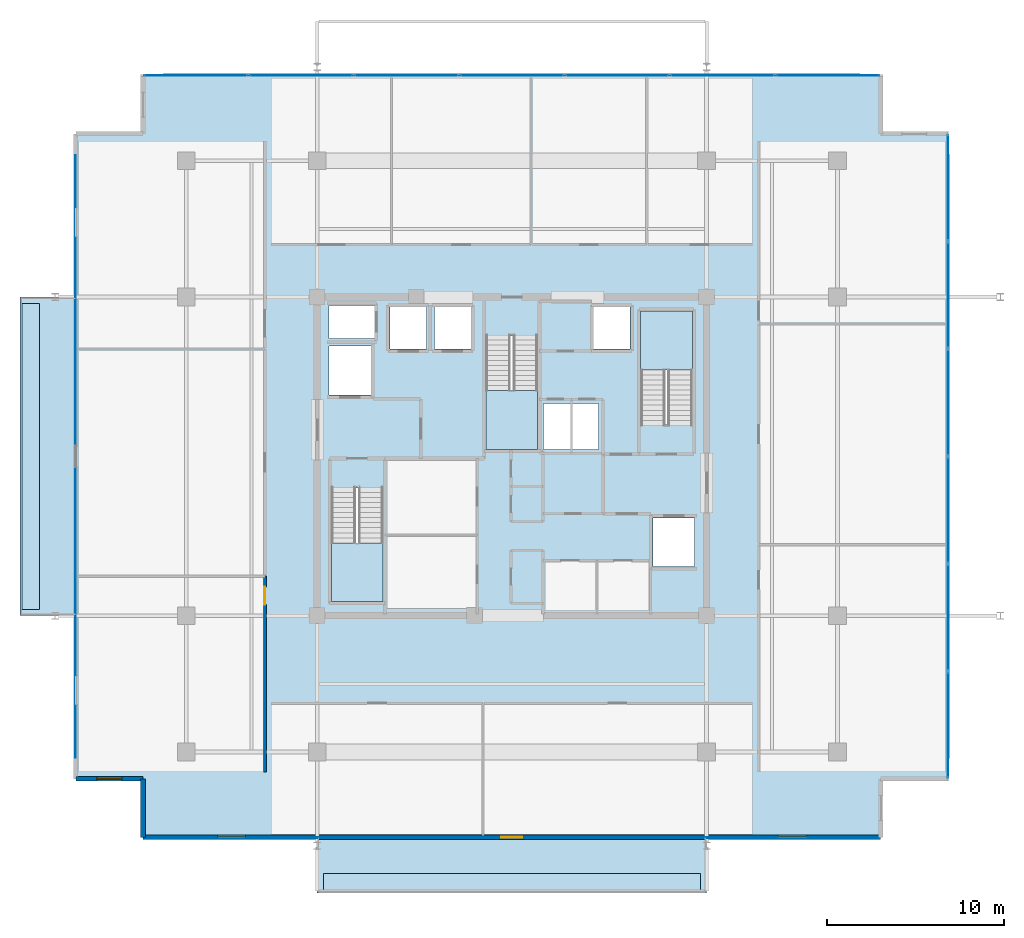
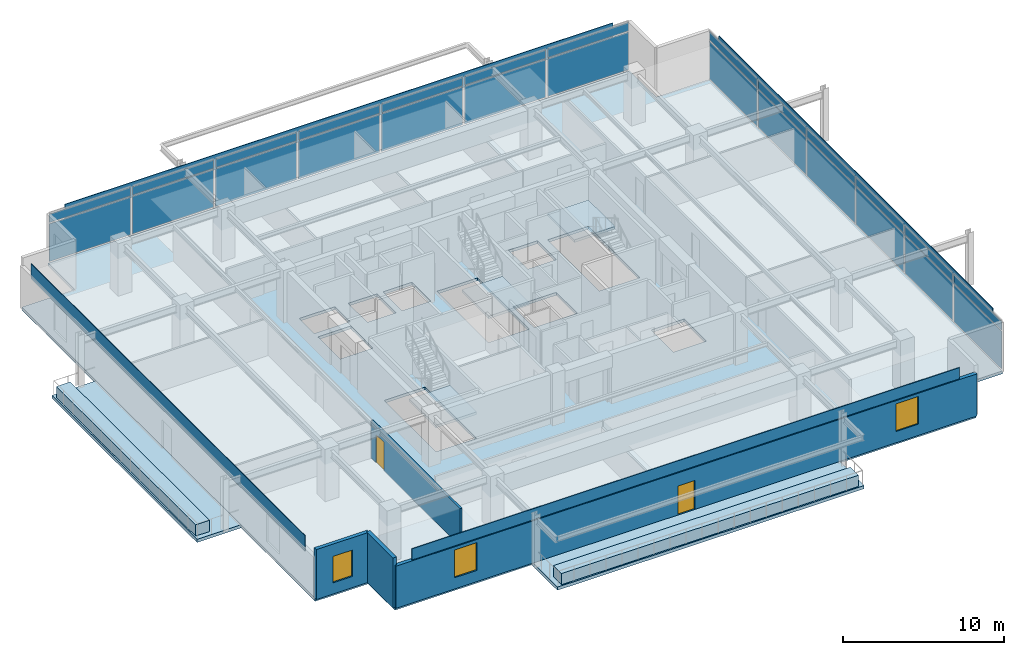
# One storey, part 13 of 21: 30 plates, 8 slabs, 4 walls, 3 windows, 2 doors, 5 openings, 5 elements without a shape of their own.
"""IFC4 building model written with IfcOpenShell, lengths in metres."""

from ifc_helpers import new_model, si_unit, direction, frame, frame_2d, origin, origin_2d, place, context, subcontext, project, spatial, polyline, rectangle, outline, extrude, material, layer, layer_set, type_object, element, fill, aggregate, save


model = new_model("IFC4")

# Units and contexts
model_context = context("Model", 3, precision=1e-05, world=origin(), true_north=direction((0.0, 1.0)))
body_context = subcontext(model_context, "Body", "Model", "MODEL_VIEW")
ifc_project = project(units=[si_unit("LENGTHUNIT", "METRE"), si_unit("AREAUNIT", "SQUARE_METRE"), si_unit("VOLUMEUNIT", "CUBIC_METRE"), si_unit("PLANEANGLEUNIT", "RADIAN"), si_unit("MASSUNIT", "GRAM", prefix="KILO")], contexts=[model_context])

# Site, building, storey
site_placement = place(None, origin())
site = spatial("IfcSite", under=ifc_project, at=site_placement, CompositionType="ELEMENT")
building_placement = place(site_placement, origin())
building = spatial("IfcBuilding", under=site, at=building_placement, Name="Kovane Verandah Tower", CompositionType="ELEMENT")
storey_placement = place(building_placement, frame((0.0, 0.0, 314.800048828125)))
storey = spatial("IfcBuildingStorey", under=building, at=storey_placement, Name="L73", CompositionType="ELEMENT", Elevation=314.800048828125)

# Curtain wall, plates
ifc_material_1 = material(Name="Champagne Anodised Aluminium Frame with Low-E Clear Laminated Glass", Category="aluminium")
curtain_wall_type = type_object("IfcCurtainWallType", Name="CW-SYS-05-HIGH", PredefinedType="NOTDEFINED", material=ifc_material_1)
curtain_wall_1_placement = place(storey_placement, origin())
curtain_wall_1 = element("IfcCurtainWall", 1, at=curtain_wall_1_placement, inside=storey, type_object=curtain_wall_type, Name="L73 E Unitised Curtain Wall", PredefinedType="NOTDEFINED")
ifc_material_2 = material(Name="Pale Champagne Anodised Aluminium Insulated Spandrel", Category="aluminium")
ifc_layer_1 = layer(ifc_material_2, 0.0400390625)
ifc_layer_set_1 = layer_set([ifc_layer_1], Name="Pale Champagne Anodised Aluminium Insulated Spandrel")
plate_type_1 = type_object("IfcPlateType", Name="PL-CW-SPD-40", PredefinedType="SHEET", material=ifc_layer_set_1)
plate_1_placement = place(storey_placement, frame((64.636474609375, 12.318115234375, 3.05517578125), z_axis=(0.0, 0.0, 1.0), x_axis=(0.0, 1.0, 0.0)))
plate_1 = element("IfcPlate", 2, at=plate_1_placement, type_object=plate_type_1, Name="L73 E Unitised Curtain Wall Spandrel Panel 1", PredefinedType="SHEET", context=body_context, shape_type="SweptSolid", body=[
    extrude(rectangle(XDim=5.9326171875, YDim=0.0400390625, at=origin_2d()), origin(), (0.0, 0.0, 1.0), 0.639892578125),
])
plate_2_placement = place(storey_placement, frame((64.636474609375, 18.390869140625, 3.05517578125), z_axis=(0.0, 0.0, 1.0), x_axis=(0.0, 1.0, 0.0)))
plate_2 = element("IfcPlate", 3, at=plate_2_placement, type_object=plate_type_1, Name="L73 E Unitised Curtain Wall Spandrel Panel 2", PredefinedType="SHEET", context=body_context, shape_type="SweptSolid", body=[
    extrude(rectangle(XDim=5.9326171875, YDim=0.0400390625, at=origin_2d()), origin(), (0.0, 0.0, 1.0), 0.639892578125),
])
plate_3_placement = place(storey_placement, frame((64.636474609375, 24.463623046875, 3.05517578125), z_axis=(0.0, 0.0, 1.0), x_axis=(0.0, 1.0, 0.0)))
plate_3 = element("IfcPlate", 4, at=plate_3_placement, type_object=plate_type_1, Name="L73 E Unitised Curtain Wall Spandrel Panel 3", PredefinedType="SHEET", context=body_context, shape_type="SweptSolid", body=[
    extrude(rectangle(XDim=5.9326171875, YDim=0.0400390625, at=origin_2d()), origin(), (0.0, 0.0, 1.0), 0.639892578125),
])
plate_4_placement = place(storey_placement, frame((64.636474609375, 30.536376953125, 3.05517578125), z_axis=(0.0, 0.0, 1.0), x_axis=(0.0, 1.0, 0.0)))
plate_4 = element("IfcPlate", 5, at=plate_4_placement, type_object=plate_type_1, Name="L73 E Unitised Curtain Wall Spandrel Panel 4", PredefinedType="SHEET", context=body_context, shape_type="SweptSolid", body=[
    extrude(rectangle(XDim=5.9326171875, YDim=0.0400390625, at=origin_2d()), origin(), (0.0, 0.0, 1.0), 0.639892578125),
])
plate_5_placement = place(storey_placement, frame((64.636474609375, 36.609130859375, 3.05517578125), z_axis=(0.0, 0.0, 1.0), x_axis=(0.0, 1.0, 0.0)))
plate_5 = element("IfcPlate", 6, at=plate_5_placement, type_object=plate_type_1, Name="L73 E Unitised Curtain Wall Spandrel Panel 5", PredefinedType="SHEET", context=body_context, shape_type="SweptSolid", body=[
    extrude(rectangle(XDim=5.9326171875, YDim=0.0400390625, at=origin_2d()), origin(), (0.0, 0.0, 1.0), 0.639892578125),
])
plate_6_placement = place(storey_placement, frame((64.636474609375, 42.681884765625, 3.05517578125), z_axis=(0.0, 0.0, 1.0), x_axis=(0.0, 1.0, 0.0)))
plate_6 = element("IfcPlate", 7, at=plate_6_placement, type_object=plate_type_1, Name="L73 E Unitised Curtain Wall Spandrel Panel 6", PredefinedType="SHEET", context=body_context, shape_type="SweptSolid", body=[
    extrude(rectangle(XDim=5.9326171875, YDim=0.0400390625, at=origin_2d()), origin(), (0.0, 0.0, 1.0), 0.639892578125),
])

curtain_wall_2_placement = place(storey_placement, origin())
curtain_wall_2 = element("IfcCurtainWall", 8, at=curtain_wall_2_placement, inside=storey, type_object=curtain_wall_type, Name="L73 N Unitised Curtain Wall", PredefinedType="NOTDEFINED")
plate_7_placement = place(storey_placement, frame((57.85986328125, 49.018310546875, 3.05517578125), z_axis=(0.0, 0.0, 1.0), x_axis=(-1.0, 0.0, 0.0)))
plate_7 = element("IfcPlate", 9, at=plate_7_placement, type_object=plate_type_1, Name="L73 N Unitised Curtain Wall Spandrel Panel 1", PredefinedType="SHEET", context=body_context, shape_type="SweptSolid", body=[
    extrude(rectangle(XDim=5.813232421875, YDim=0.0400390625, at=origin_2d()), origin(), (0.0, 0.0, 1.0), 0.639892578125),
])
plate_8_placement = place(storey_placement, frame((51.906494140625, 49.018310546875, 3.05517578125), z_axis=(0.0, 0.0, 1.0), x_axis=(-1.0, 0.0, 0.0)))
plate_8 = element("IfcPlate", 10, at=plate_8_placement, type_object=plate_type_1, Name="L73 N Unitised Curtain Wall Spandrel Panel 2", PredefinedType="SHEET", context=body_context, shape_type="SweptSolid", body=[
    extrude(rectangle(XDim=5.813232421875, YDim=0.0400390625, at=origin_2d()), origin(), (0.0, 0.0, 1.0), 0.639892578125),
])
plate_9_placement = place(storey_placement, frame((45.953369140625, 49.018310546875, 3.05517578125), z_axis=(0.0, 0.0, 1.0), x_axis=(-1.0, 0.0, 0.0)))
plate_9 = element("IfcPlate", 11, at=plate_9_placement, type_object=plate_type_1, Name="L73 N Unitised Curtain Wall Spandrel Panel 3", PredefinedType="SHEET", context=body_context, shape_type="SweptSolid", body=[
    extrude(rectangle(XDim=5.813232421875, YDim=0.0400390625, at=origin_2d()), origin(), (0.0, 0.0, 1.0), 0.639892578125),
])
plate_10_placement = place(storey_placement, frame((40.0, 49.018310546875, 3.05517578125), z_axis=(0.0, 0.0, 1.0), x_axis=(-1.0, 0.0, 0.0)))
plate_10 = element("IfcPlate", 12, at=plate_10_placement, type_object=plate_type_1, Name="L73 N Unitised Curtain Wall Spandrel Panel 4", PredefinedType="SHEET", context=body_context, shape_type="SweptSolid", body=[
    extrude(rectangle(XDim=5.813232421875, YDim=0.0400390625, at=origin_2d()), origin(), (0.0, 0.0, 1.0), 0.639892578125),
])
plate_11_placement = place(storey_placement, frame((34.046630859375, 49.018310546875, 3.05517578125), z_axis=(0.0, 0.0, 1.0), x_axis=(-1.0, 0.0, 0.0)))
plate_11 = element("IfcPlate", 13, at=plate_11_placement, type_object=plate_type_1, Name="L73 N Unitised Curtain Wall Spandrel Panel 5", PredefinedType="SHEET", context=body_context, shape_type="SweptSolid", body=[
    extrude(rectangle(XDim=5.813232421875, YDim=0.0400390625, at=origin_2d()), origin(), (0.0, 0.0, 1.0), 0.639892578125),
])
plate_12_placement = place(storey_placement, frame((28.093505859375, 49.018310546875, 3.05517578125), z_axis=(0.0, 0.0, 1.0), x_axis=(-1.0, 0.0, 0.0)))
plate_12 = element("IfcPlate", 14, at=plate_12_placement, type_object=plate_type_1, Name="L73 N Unitised Curtain Wall Spandrel Panel 6", PredefinedType="SHEET", context=body_context, shape_type="SweptSolid", body=[
    extrude(rectangle(XDim=5.813232421875, YDim=0.0400390625, at=origin_2d()), origin(), (0.0, 0.0, 1.0), 0.639892578125),
])
plate_13_placement = place(storey_placement, frame((22.14013671875, 49.018310546875, 3.05517578125), z_axis=(0.0, 0.0, 1.0), x_axis=(-1.0, 0.0, 0.0)))
plate_13 = element("IfcPlate", 15, at=plate_13_placement, type_object=plate_type_1, Name="L73 N Unitised Curtain Wall Spandrel Panel 7", PredefinedType="SHEET", context=body_context, shape_type="SweptSolid", body=[
    extrude(rectangle(XDim=5.813232421875, YDim=0.0400390625, at=origin_2d()), origin(), (0.0, 0.0, 1.0), 0.639892578125),
])

# Plate
ifc_material_3 = material(Name="Clear Low-E Laminated Double Glazing", Category="glass")
ifc_layer_2 = layer(ifc_material_3, 0.031982421875)
ifc_layer_set_2 = layer_set([ifc_layer_2], Name="Clear Low-E Laminated Double Glazing")
plate_type_2 = type_object("IfcPlateType", Name="PL-CW-VIS-32", PredefinedType="CURTAIN_PANEL", material=ifc_layer_set_2)
plate_14_placement = place(storey_placement, frame((64.636474609375, 12.318115234375, 0.099853515625), z_axis=(0.0, 0.0, 1.0), x_axis=(0.0, 1.0, 0.0)))
plate_14 = element("IfcPlate", 16, at=plate_14_placement, type_object=plate_type_2, Name="L73 E Unitised Curtain Wall Vision Panel 1", PredefinedType="CURTAIN_PANEL", context=body_context, shape_type="SweptSolid", body=[
    extrude(rectangle(XDim=5.9326171875, YDim=0.031982421875, at=origin_2d()), origin(), (0.0, 0.0, 1.0), 2.85498046875),
])

plate_15_placement = place(storey_placement, frame((64.636474609375, 18.390869140625, 0.099853515625), z_axis=(0.0, 0.0, 1.0), x_axis=(0.0, 1.0, 0.0)))
plate_15 = element("IfcPlate", 17, at=plate_15_placement, type_object=plate_type_2, Name="L73 E Unitised Curtain Wall Vision Panel 2", PredefinedType="CURTAIN_PANEL", context=body_context, shape_type="SweptSolid", body=[
    extrude(rectangle(XDim=5.9326171875, YDim=0.031982421875, at=origin_2d()), origin(), (0.0, 0.0, 1.0), 2.85498046875),
])

plate_16_placement = place(storey_placement, frame((64.636474609375, 24.463623046875, 0.099853515625), z_axis=(0.0, 0.0, 1.0), x_axis=(0.0, 1.0, 0.0)))
plate_16 = element("IfcPlate", 18, at=plate_16_placement, type_object=plate_type_2, Name="L73 E Unitised Curtain Wall Vision Panel 3", PredefinedType="CURTAIN_PANEL", context=body_context, shape_type="SweptSolid", body=[
    extrude(rectangle(XDim=5.9326171875, YDim=0.031982421875, at=origin_2d()), origin(), (0.0, 0.0, 1.0), 2.85498046875),
])

plate_17_placement = place(storey_placement, frame((64.636474609375, 30.536376953125, 0.099853515625), z_axis=(0.0, 0.0, 1.0), x_axis=(0.0, 1.0, 0.0)))
plate_17 = element("IfcPlate", 19, at=plate_17_placement, type_object=plate_type_2, Name="L73 E Unitised Curtain Wall Vision Panel 4", PredefinedType="CURTAIN_PANEL", context=body_context, shape_type="SweptSolid", body=[
    extrude(rectangle(XDim=5.9326171875, YDim=0.031982421875, at=origin_2d()), origin(), (0.0, 0.0, 1.0), 2.85498046875),
])

plate_18_placement = place(storey_placement, frame((64.636474609375, 36.609130859375, 0.099853515625), z_axis=(0.0, 0.0, 1.0), x_axis=(0.0, 1.0, 0.0)))
plate_18 = element("IfcPlate", 20, at=plate_18_placement, type_object=plate_type_2, Name="L73 E Unitised Curtain Wall Vision Panel 5", PredefinedType="CURTAIN_PANEL", context=body_context, shape_type="SweptSolid", body=[
    extrude(rectangle(XDim=5.9326171875, YDim=0.031982421875, at=origin_2d()), origin(), (0.0, 0.0, 1.0), 2.85498046875),
])

plate_19_placement = place(storey_placement, frame((64.636474609375, 42.681884765625, 0.099853515625), z_axis=(0.0, 0.0, 1.0), x_axis=(0.0, 1.0, 0.0)))
plate_19 = element("IfcPlate", 21, at=plate_19_placement, type_object=plate_type_2, Name="L73 E Unitised Curtain Wall Vision Panel 6", PredefinedType="CURTAIN_PANEL", context=body_context, shape_type="SweptSolid", body=[
    extrude(rectangle(XDim=5.9326171875, YDim=0.031982421875, at=origin_2d()), origin(), (0.0, 0.0, 1.0), 2.85498046875),
])

aggregate(curtain_wall_1, [plate_14, plate_1, plate_15, plate_2, plate_16, plate_3, plate_17, plate_4, plate_18, plate_5, plate_19, plate_6])

plate_20_placement = place(storey_placement, frame((57.85986328125, 49.018310546875, 0.099853515625), z_axis=(0.0, 0.0, 1.0), x_axis=(-1.0, 0.0, 0.0)))
plate_20 = element("IfcPlate", 22, at=plate_20_placement, type_object=plate_type_2, Name="L73 N Unitised Curtain Wall Vision Panel 1", PredefinedType="CURTAIN_PANEL", context=body_context, shape_type="SweptSolid", body=[
    extrude(rectangle(XDim=5.813232421875, YDim=0.031982421875, at=origin_2d()), origin(), (0.0, 0.0, 1.0), 2.85498046875),
])

plate_21_placement = place(storey_placement, frame((51.906494140625, 49.018310546875, 0.099853515625), z_axis=(0.0, 0.0, 1.0), x_axis=(-1.0, 0.0, 0.0)))
plate_21 = element("IfcPlate", 23, at=plate_21_placement, type_object=plate_type_2, Name="L73 N Unitised Curtain Wall Vision Panel 2", PredefinedType="CURTAIN_PANEL", context=body_context, shape_type="SweptSolid", body=[
    extrude(rectangle(XDim=5.813232421875, YDim=0.031982421875, at=origin_2d()), origin(), (0.0, 0.0, 1.0), 2.85498046875),
])

plate_22_placement = place(storey_placement, frame((45.953369140625, 49.018310546875, 0.099853515625), z_axis=(0.0, 0.0, 1.0), x_axis=(-1.0, 0.0, 0.0)))
plate_22 = element("IfcPlate", 24, at=plate_22_placement, type_object=plate_type_2, Name="L73 N Unitised Curtain Wall Vision Panel 3", PredefinedType="CURTAIN_PANEL", context=body_context, shape_type="SweptSolid", body=[
    extrude(rectangle(XDim=5.813232421875, YDim=0.031982421875, at=origin_2d()), origin(), (0.0, 0.0, 1.0), 2.85498046875),
])

plate_23_placement = place(storey_placement, frame((40.0, 49.018310546875, 0.099853515625), z_axis=(0.0, 0.0, 1.0), x_axis=(-1.0, 0.0, 0.0)))
plate_23 = element("IfcPlate", 25, at=plate_23_placement, type_object=plate_type_2, Name="L73 N Unitised Curtain Wall Vision Panel 4", PredefinedType="CURTAIN_PANEL", context=body_context, shape_type="SweptSolid", body=[
    extrude(rectangle(XDim=5.813232421875, YDim=0.031982421875, at=origin_2d()), origin(), (0.0, 0.0, 1.0), 2.85498046875),
])

plate_24_placement = place(storey_placement, frame((34.046630859375, 49.018310546875, 0.099853515625), z_axis=(0.0, 0.0, 1.0), x_axis=(-1.0, 0.0, 0.0)))
plate_24 = element("IfcPlate", 26, at=plate_24_placement, type_object=plate_type_2, Name="L73 N Unitised Curtain Wall Vision Panel 5", PredefinedType="CURTAIN_PANEL", context=body_context, shape_type="SweptSolid", body=[
    extrude(rectangle(XDim=5.813232421875, YDim=0.031982421875, at=origin_2d()), origin(), (0.0, 0.0, 1.0), 2.85498046875),
])

plate_25_placement = place(storey_placement, frame((28.093505859375, 49.018310546875, 0.099853515625), z_axis=(0.0, 0.0, 1.0), x_axis=(-1.0, 0.0, 0.0)))
plate_25 = element("IfcPlate", 27, at=plate_25_placement, type_object=plate_type_2, Name="L73 N Unitised Curtain Wall Vision Panel 6", PredefinedType="CURTAIN_PANEL", context=body_context, shape_type="SweptSolid", body=[
    extrude(rectangle(XDim=5.813232421875, YDim=0.031982421875, at=origin_2d()), origin(), (0.0, 0.0, 1.0), 2.85498046875),
])

plate_26_placement = place(storey_placement, frame((22.14013671875, 49.018310546875, 0.099853515625), z_axis=(0.0, 0.0, 1.0), x_axis=(-1.0, 0.0, 0.0)))
plate_26 = element("IfcPlate", 28, at=plate_26_placement, type_object=plate_type_2, Name="L73 N Unitised Curtain Wall Vision Panel 7", PredefinedType="CURTAIN_PANEL", context=body_context, shape_type="SweptSolid", body=[
    extrude(rectangle(XDim=5.813232421875, YDim=0.031982421875, at=origin_2d()), origin(), (0.0, 0.0, 1.0), 2.85498046875),
])

aggregate(curtain_wall_2, [plate_20, plate_7, plate_21, plate_8, plate_22, plate_9, plate_23, plate_10, plate_24, plate_11, plate_25, plate_12, plate_26, plate_13])

# Plates
ifc_material_4 = material(Name="Perforated Pale Champagne Anodised Aluminium Solar Screen", Category="aluminium")
ifc_layer_3 = layer(ifc_material_4, 0.050048828125)
ifc_layer_set_3 = layer_set([ifc_layer_3], Name="Perforated Pale Champagne Anodised Aluminium Solar Screen")
plate_type_3 = type_object("IfcPlateType", Name="PL-SCREEN-50", PredefinedType="USERDEFINED", material=ifc_layer_set_3)
plate_27_placement = place(storey_placement, frame((40.0, 5.966796875, 2.885009765625), z_axis=(0.0, 0.0, 1.0), x_axis=(1.0, 0.0, 0.0)))
element("IfcPlate", 29, at=plate_27_placement, inside=storey, type_object=plate_type_3, Name="L73 S Perforated Champagne-Gold Solar Screen", ObjectType="SCREEN", PredefinedType="USERDEFINED", context=body_context, shape_type="SweptSolid", body=[
    extrude(rectangle(XDim=39.27294921875, YDim=0.050048828125, at=origin_2d()), origin(), (0.0, 0.0, 1.0), 1.14990234375),
])
plate_28_placement = place(storey_placement, frame((64.6513671875, 27.5, 2.885009765625), z_axis=(0.0, 0.0, 1.0), x_axis=(0.0, 1.0, 0.0)))
element("IfcPlate", 30, at=plate_28_placement, inside=storey, type_object=plate_type_3, Name="L73 E Perforated Champagne-Gold Solar Screen", ObjectType="SCREEN", PredefinedType="USERDEFINED", context=body_context, shape_type="SweptSolid", body=[
    extrude(rectangle(XDim=34.035888671875, YDim=0.050048828125, at=origin_2d()), origin(), (0.0, 0.0, 1.0), 1.14990234375),
])
plate_29_placement = place(storey_placement, frame((40.0, 49.033203125, 2.885009765625), z_axis=(0.0, 0.0, 1.0), x_axis=(-1.0, 0.0, 0.0)))
element("IfcPlate", 31, at=plate_29_placement, inside=storey, type_object=plate_type_3, Name="L73 N Perforated Champagne-Gold Solar Screen", ObjectType="SCREEN", PredefinedType="USERDEFINED", context=body_context, shape_type="SweptSolid", body=[
    extrude(rectangle(XDim=39.27294921875, YDim=0.050048828125, at=origin_2d()), origin(), (0.0, 0.0, 1.0), 1.14990234375),
])
plate_30_placement = place(storey_placement, frame((15.3486328125, 27.5, 2.885009765625), z_axis=(0.0, 0.0, 1.0), x_axis=(0.0, -1.0, 0.0)))
element("IfcPlate", 32, at=plate_30_placement, inside=storey, type_object=plate_type_3, Name="L73 W Perforated Champagne-Gold Solar Screen", ObjectType="SCREEN", PredefinedType="USERDEFINED", context=body_context, shape_type="SweptSolid", body=[
    extrude(rectangle(XDim=34.035888671875, YDim=0.050048828125, at=origin_2d()), origin(), (0.0, 0.0, 1.0), 1.14990234375),
])

# Slabs
ifc_material_5 = material(Name="Concrete C45/55", Category="concrete")
ifc_layer_4 = layer(ifc_material_5, 0.239990234375)
ifc_layer_set_4 = layer_set([ifc_layer_4], Name="Concrete C45/55")
slab_type_1 = type_object("IfcSlabType", Name="SL-BALC-240", PredefinedType="FLOOR", material=ifc_layer_set_4)
slab_1_placement = place(storey_placement, frame((0.0, 0.0, -0.239990234375)))
element("IfcSlab", 33, at=slab_1_placement, inside=storey, type_object=slab_type_1, Name="L73 S Planted Verandah Balcony Slab", PredefinedType="FLOOR", context=body_context, shape_type="SweptSolid", body=[
    extrude(outline(polyline([(29.0, 2.831787109375), (51.0, 2.831787109375), (51.0, 5.981689453125), (29.0, 5.981689453125), (29.0, 2.831787109375)])), origin(), (0.0, 0.0, 1.0), 0.239990234375),
])
slab_2_placement = place(storey_placement, frame((0.0, 0.0, -0.239990234375)))
element("IfcSlab", 34, at=slab_2_placement, inside=storey, type_object=slab_type_1, Name="L73 W Planted Verandah Balcony Slab", PredefinedType="FLOOR", context=body_context, shape_type="SweptSolid", body=[
    extrude(outline(polyline([(12.213623046875, 18.5), (15.363525390625, 18.5), (15.363525390625, 36.5), (12.213623046875, 36.5), (12.213623046875, 18.5)])), origin(), (0.0, 0.0, 1.0), 0.239990234375),
])
ifc_layer_5 = layer(ifc_material_5, 0.215087890625)
ifc_layer_set_5 = layer_set([ifc_layer_5], Name="Concrete C45/55")
slab_type_2 = type_object("IfcSlabType", Name="SL-HIGH-215", PredefinedType="FLOOR", material=ifc_layer_set_5)
slab_3_placement = place(storey_placement, frame((0.0, 0.0, -0.215087890625)))
element("IfcSlab", 35, at=slab_3_placement, inside=storey, type_object=slab_type_2, Name="L73 Structural Floor Slab", PredefinedType="FLOOR", context=body_context, shape_type="SweptSolid", body=[
    extrude(outline(polyline([(19.16357421875, 5.981689453125), (60.83642578125, 5.981689453125), (60.83642578125, 9.28173828125), (64.636474609375, 9.28173828125), (64.636474609375, 45.71826171875), (60.83642578125, 45.71826171875), (60.83642578125, 49.018310546875), (19.16357421875, 49.018310546875), (19.16357421875, 45.71826171875), (15.363525390625, 45.71826171875), (15.363525390625, 9.28173828125), (19.16357421875, 9.28173828125), (19.16357421875, 5.981689453125)]), holes=[polyline([(29.800048828125, 19.300048828125), (32.719970703125, 19.300048828125), (32.719970703125, 25.705078125), (29.800048828125, 25.705078125), (29.800048828125, 19.300048828125)]), polyline([(47.280029296875, 29.294921875), (50.199951171875, 29.294921875), (50.199951171875, 35.699951171875), (47.280029296875, 35.699951171875), (47.280029296875, 29.294921875)]), polyline([(38.5400390625, 27.89990234375), (41.4599609375, 27.89990234375), (41.4599609375, 34.304931640625), (38.5400390625, 34.304931640625), (38.5400390625, 27.89990234375)]), polyline([(29.669921875, 30.969970703125), (32.030029296875, 30.969970703125), (32.030029296875, 33.72998046875), (29.669921875, 33.72998046875), (29.669921875, 30.969970703125)]), polyline([(47.969970703125, 21.27001953125), (50.330078125, 21.27001953125), (50.330078125, 24.030029296875), (47.969970703125, 24.030029296875), (47.969970703125, 21.27001953125)]), polyline([(29.669921875, 34.169921875), (32.22998046875, 34.169921875), (32.22998046875, 36.030029296875), (29.669921875, 36.030029296875), (29.669921875, 34.169921875)]), polyline([(33.1201171875, 33.570068359375), (35.179931640625, 33.570068359375), (35.179931640625, 35.929931640625), (33.1201171875, 35.929931640625), (33.1201171875, 33.570068359375)]), polyline([(35.6201171875, 33.570068359375), (37.679931640625, 33.570068359375), (37.679931640625, 35.929931640625), (35.6201171875, 35.929931640625), (35.6201171875, 33.570068359375)]), polyline([(44.6201171875, 33.570068359375), (46.679931640625, 33.570068359375), (46.679931640625, 35.929931640625), (44.6201171875, 35.929931640625), (44.6201171875, 33.570068359375)]), polyline([(41.800048828125, 27.89990234375), (44.89990234375, 27.89990234375), (44.89990234375, 30.5), (41.800048828125, 30.5), (41.800048828125, 27.89990234375)])]), origin(), (0.0, 0.0, 1.0), 0.215087890625),
])

# Stair, slab
stair_type = type_object("IfcStairType", Name="ST-CORE-1380", PredefinedType="HALF_TURN_STAIR", material=ifc_material_5)
stair_1_placement = place(storey_placement, origin())
stair_1 = element("IfcStair", 36, at=stair_1_placement, inside=storey, type_object=stair_type, Name="L73 Exit Stair ST-01", PredefinedType="HALF_TURN_STAIR")
ifc_layer_6 = layer(ifc_material_5, 0.199951171875)
ifc_layer_set_6 = layer_set([ifc_layer_6], Name="Concrete C45/55")
slab_type_3 = type_object("IfcSlabType", Name="SL-LAND-200", PredefinedType="LANDING", material=ifc_layer_set_6)
slab_4_placement = place(storey_placement, frame((0.0, 0.0, 1.800048828125)))
slab_4 = element("IfcSlab", 37, at=slab_4_placement, type_object=slab_type_3, Name="ST-01 landing 1", PredefinedType="LANDING", context=body_context, shape_type="SweptSolid", body=[
    extrude(outline(polyline([(29.800048828125, 22.614990234375), (29.800048828125, 19.300048828125), (32.719970703125, 19.300048828125), (32.719970703125, 22.614990234375), (29.800048828125, 22.614990234375)])), origin(), (0.0, 0.0, 1.0), 0.199951171875),
])
aggregate(stair_1, [slab_4])

stair_2_placement = place(storey_placement, origin())
stair_2 = element("IfcStair", 38, at=stair_2_placement, inside=storey, type_object=stair_type, Name="L73 Exit Stair ST-02", PredefinedType="HALF_TURN_STAIR")
slab_5_placement = place(storey_placement, frame((0.0, 0.0, 1.800048828125)))
slab_5 = element("IfcSlab", 39, at=slab_5_placement, type_object=slab_type_3, Name="ST-02 landing 1", PredefinedType="LANDING", context=body_context, shape_type="SweptSolid", body=[
    extrude(outline(polyline([(50.199951171875, 32.385009765625), (50.199951171875, 35.699951171875), (47.280029296875, 35.699951171875), (47.280029296875, 32.385009765625), (50.199951171875, 32.385009765625)])), origin(), (0.0, 0.0, 1.0), 0.199951171875),
])
aggregate(stair_2, [slab_5])

stair_3_placement = place(storey_placement, origin())
stair_3 = element("IfcStair", 40, at=stair_3_placement, inside=storey, type_object=stair_type, Name="L73 Exit Stair ST-03", PredefinedType="HALF_TURN_STAIR")
slab_6_placement = place(storey_placement, frame((0.0, 0.0, 1.800048828125)))
slab_6 = element("IfcSlab", 41, at=slab_6_placement, type_object=slab_type_3, Name="ST-03 landing 1", PredefinedType="LANDING", context=body_context, shape_type="SweptSolid", body=[
    extrude(outline(polyline([(38.5400390625, 31.215087890625), (38.5400390625, 27.89990234375), (41.4599609375, 27.89990234375), (41.4599609375, 31.215087890625), (38.5400390625, 31.215087890625)])), origin(), (0.0, 0.0, 1.0), 0.199951171875),
])
aggregate(stair_3, [slab_6])

# Slabs
ifc_material_6 = material(Name="Architectural Precast Concrete C45/55 Planter Trough", Category="concrete")
ifc_layer_7 = layer(ifc_material_6, 0.219970703125)
ifc_layer_set_7 = layer_set([ifc_layer_7], Name="Architectural Precast Concrete C45/55 Planter Trough")
slab_type_4 = type_object("IfcSlabType", Name="SL-PLANTER-220", PredefinedType="USERDEFINED", material=ifc_layer_set_7)
slab_7_placement = place(storey_placement, origin())
element("IfcSlab", 42, at=slab_7_placement, inside=storey, type_object=slab_type_4, Name="L73 S Structural Tree Planter", ObjectType="PLANTER", PredefinedType="USERDEFINED", context=body_context, shape_type="SweptSolid", body=[
    extrude(outline(polyline([(29.35009765625, 2.931884765625), (50.64990234375, 2.931884765625), (50.64990234375, 3.931884765625), (29.35009765625, 3.931884765625), (29.35009765625, 2.931884765625)])), origin(), (0.0, 0.0, 1.0), 0.849853515625),
])
slab_8_placement = place(storey_placement, origin())
element("IfcSlab", 43, at=slab_8_placement, inside=storey, type_object=slab_type_4, Name="L73 W Structural Tree Planter", ObjectType="PLANTER", PredefinedType="USERDEFINED", context=body_context, shape_type="SweptSolid", body=[
    extrude(outline(polyline([(12.313720703125, 18.85009765625), (13.313720703125, 18.85009765625), (13.313720703125, 36.14990234375), (12.313720703125, 36.14990234375), (12.313720703125, 18.85009765625)])), origin(), (0.0, 0.0, 1.0), 0.849853515625),
])

# Wall, opening, door
ifc_material_7 = material(Name="Fire-Rated Gypsum Stud Partition", Category="gypsum")
ifc_layer_8 = layer(ifc_material_7, 0.14990234375)
ifc_layer_set_8 = layer_set([ifc_layer_8], Name="Fire-Rated Gypsum Stud Partition")
wall_type_1 = type_object("IfcWallType", Name="WL-COR-150", PredefinedType="PARTITIONING", material=ifc_layer_set_8)
wall_1_placement = place(storey_placement, frame((26.050048828125, 9.681884765625, 0.0), z_axis=(0.0, 0.0, 1.0), x_axis=(0.0, 1.0, 0.0)))
wall_1 = element("IfcWall", 44, at=wall_1_placement, inside=storey, type_object=wall_type_1, Name="L73 Open Plan Office W1 Corridor Partition", PredefinedType="PARTITIONING", context=body_context, shape_type="SweptSolid", body=[
    extrude(rectangle(XDim=11.047119140625, YDim=0.14990234375, at=frame_2d((5.5234375, 0.0))), origin(), (0.0, 0.0, 1.0), 2.849853515625),
])
opening_1_placement = place(wall_1_placement, frame((9.44775390625, 0.0, 0.0)))
opening_1 = element("IfcOpeningElement", 45, at=opening_1_placement, cuts=wall_1, Name="Opening DR-L73-031", PredefinedType="OPENING", context=body_context, shape_type="SweptSolid", body=[
    extrude(rectangle(XDim=1.0, YDim=2.14990234375, at=frame_2d((0.5, 1.074951171875))), frame((0.0, 0.074951171875, 0.0), z_axis=(0.0, -1.0, 0.0), x_axis=(1.0, 0.0, 0.0)), (0.0, 0.0, 1.0), 0.14990234375),
])
ifc_material_8 = material(Name="FSC Spotted-Gum Timber Fire-Rated Office Door", Category="wood")
door_type_1 = type_object("IfcDoorType", Name="DR-OFF-1000", OperationType="SINGLE_SWING_LEFT", PredefinedType="DOOR", material=ifc_material_8)
door_1_placement = place(opening_1_placement, origin())
door_1 = element("IfcDoor", 46, at=door_1_placement, inside=storey, type_object=door_type_1, Name="L73 Open Plan Office W1 Entrance Door", OperationType="SINGLE_SWING_RIGHT", OverallHeight=2.14990234375, OverallWidth=1.0, PredefinedType="DOOR", context=body_context, shape_type="SweptSolid", body=[
    extrude(rectangle(XDim=1.0, YDim=2.14990234375, at=frame_2d((0.5, 1.074951171875))), frame((0.0, 0.02490234375, 0.0), z_axis=(0.0, -1.0, 0.0), x_axis=(1.0, 0.0, 0.0)), (0.0, 0.0, 1.0), 0.050048828125),
])
fill(opening_1, door_1)

# Wall, openings, door, windows
ifc_material_9 = material(Name="Concrete C45/55 Insulated Spandrel Wall", Category="concrete")
ifc_layer_9 = layer(ifc_material_9, 0.260009765625)
ifc_layer_set_9 = layer_set([ifc_layer_9], Name="Concrete C45/55 Insulated Spandrel Wall")
wall_type_2 = type_object("IfcWallType", Name="WL-SPANDREL-260", PredefinedType="PARAPET", material=ifc_layer_set_9)
wall_2_placement = place(storey_placement, frame((19.16357421875, 5.981689453125, 0.0), z_axis=(0.0, 0.0, 1.0), x_axis=(1.0, 0.0, 0.0)))
wall_2 = element("IfcWall", 47, at=wall_2_placement, inside=storey, type_object=wall_type_2, Name="L73 S Verandah Access Facade Wall", PredefinedType="PARAPET", context=body_context, shape_type="SweptSolid", body=[
    extrude(rectangle(XDim=41.6728515625, YDim=0.260009765625, at=frame_2d((20.83642578125, 0.0))), origin(), (0.0, 0.0, 1.0), 3.195556640625),
])
opening_2_placement = place(wall_2_placement, frame((4.199951171875, 0.0, 0.85009765625)))
opening_2 = element("IfcOpeningElement", 48, at=opening_2_placement, cuts=wall_2, Name="Opening W-02", PredefinedType="OPENING", context=body_context, shape_type="SweptSolid", body=[
    extrude(rectangle(XDim=1.60009765625, YDim=2.10009765625, at=frame_2d((0.800048828125, 1.050048828125))), frame((0.0, 0.1298828125, 0.0), z_axis=(0.0, -1.0, 0.0), x_axis=(1.0, 0.0, 0.0)), (0.0, 0.0, 1.0), 0.260009765625),
])
opening_3_placement = place(wall_2_placement, frame((20.236328125, 0.0, 0.0)))
opening_3 = element("IfcOpeningElement", 49, at=opening_3_placement, cuts=wall_2, Name="Opening DR-L73-001", PredefinedType="OPENING", context=body_context, shape_type="SweptSolid", body=[
    extrude(rectangle(XDim=1.199951171875, YDim=2.199951171875, at=frame_2d((0.60009765625, 1.10009765625))), frame((0.0, 0.1298828125, 0.0), z_axis=(0.0, -1.0, 0.0), x_axis=(1.0, 0.0, 0.0)), (0.0, 0.0, 1.0), 0.260009765625),
])
opening_4_placement = place(wall_2_placement, frame((35.872802734375, 0.0, 0.85009765625)))
opening_4 = element("IfcOpeningElement", 50, at=opening_4_placement, cuts=wall_2, Name="Opening W-02", PredefinedType="OPENING", context=body_context, shape_type="SweptSolid", body=[
    extrude(rectangle(XDim=1.60009765625, YDim=2.10009765625, at=frame_2d((0.800048828125, 1.050048828125))), frame((0.0, 0.1298828125, 0.0), z_axis=(0.0, -1.0, 0.0), x_axis=(1.0, 0.0, 0.0)), (0.0, 0.0, 1.0), 0.260009765625),
])
ifc_material_10 = material(Name="Cyclone-Rated Glazed Balcony Leaf Door", Category="aluminium")
door_type_2 = type_object("IfcDoorType", Name="DR-BAL-1200x2200", OperationType="SINGLE_SWING_LEFT", PredefinedType="DOOR", material=ifc_material_10)
door_2_placement = place(opening_3_placement, origin())
door_2 = element("IfcDoor", 51, at=door_2_placement, inside=storey, type_object=door_type_2, Name="L73 S Planted Balcony Access Door", OperationType="SINGLE_SWING_LEFT", OverallHeight=2.199951171875, OverallWidth=1.199951171875, PredefinedType="DOOR", context=body_context, shape_type="SweptSolid", body=[
    extrude(rectangle(XDim=1.199951171875, YDim=2.199951171875, at=frame_2d((0.60009765625, 1.10009765625))), frame((0.0, 0.02490234375, 0.0), z_axis=(0.0, -1.0, 0.0), x_axis=(1.0, 0.0, 0.0)), (0.0, 0.0, 1.0), 0.050048828125),
])
fill(opening_3, door_2)
ifc_material_11 = material(Name="Clear Low-E Laminated Double Glazing in Anodised Frame", Category="glass")
window_type_1 = type_object("IfcWindowType", Name="WN-OPER-1600x2100", PartitioningType="SINGLE_PANEL", PredefinedType="WINDOW", material=ifc_material_11)
window_1_placement = place(opening_2_placement, origin())
window_1 = element("IfcWindow", 52, at=window_1_placement, inside=storey, type_object=window_type_1, Name="L73 S Verandah View Window 1", OverallHeight=2.10009765625, OverallWidth=1.60009765625, PartitioningType="SINGLE_PANEL", PredefinedType="WINDOW", context=body_context, shape_type="SweptSolid", body=[
    extrude(rectangle(XDim=1.60009765625, YDim=2.10009765625, at=frame_2d((0.800048828125, 1.050048828125))), frame((0.0, 0.030029296875, 0.0), z_axis=(0.0, -1.0, 0.0), x_axis=(1.0, 0.0, 0.0)), (0.0, 0.0, 1.0), 0.06005859375),
])
fill(opening_2, window_1)
window_2_placement = place(opening_4_placement, origin())
window_2 = element("IfcWindow", 53, at=window_2_placement, inside=storey, type_object=window_type_1, Name="L73 S Verandah View Window 2", OverallHeight=2.10009765625, OverallWidth=1.60009765625, PartitioningType="SINGLE_PANEL", PredefinedType="WINDOW", context=body_context, shape_type="SweptSolid", body=[
    extrude(rectangle(XDim=1.60009765625, YDim=2.10009765625, at=frame_2d((0.800048828125, 1.050048828125))), frame((0.0, 0.030029296875, 0.0), z_axis=(0.0, -1.0, 0.0), x_axis=(1.0, 0.0, 0.0)), (0.0, 0.0, 1.0), 0.06005859375),
])
fill(opening_4, window_2)

# Wall, opening, window
wall_3_placement = place(storey_placement, frame((15.363525390625, 9.28173828125, 0.0), z_axis=(0.0, 0.0, 1.0), x_axis=(1.0, 0.0, 0.0)))
wall_3 = element("IfcWall", 54, at=wall_3_placement, inside=storey, type_object=wall_type_2, Name="L73 SW Notch Cheek Wall 1", PredefinedType="PARAPET", context=body_context, shape_type="SweptSolid", body=[
    extrude(rectangle(XDim=3.800048828125, YDim=0.260009765625, at=frame_2d((1.89990234375, 0.0))), origin(), (0.0, 0.0, 1.0), 3.784912109375),
])
opening_5_placement = place(wall_3_placement, frame((1.199951171875, 0.0, 0.85009765625)))
opening_5 = element("IfcOpeningElement", 55, at=opening_5_placement, cuts=wall_3, Name="Opening W-01", PredefinedType="OPENING", context=body_context, shape_type="SweptSolid", body=[
    extrude(rectangle(XDim=1.39990234375, YDim=2.0, at=frame_2d((0.699951171875, 1.0))), frame((0.0, 0.1298828125, 0.0), z_axis=(0.0, -1.0, 0.0), x_axis=(1.0, 0.0, 0.0)), (0.0, 0.0, 1.0), 0.260009765625),
])
window_type_2 = type_object("IfcWindowType", Name="WN-OPER-1400x2000", PartitioningType="SINGLE_PANEL", PredefinedType="WINDOW", material=ifc_material_11)
window_3_placement = place(opening_5_placement, origin())
window_3 = element("IfcWindow", 56, at=window_3_placement, inside=storey, type_object=window_type_2, Name="L73 SW Re-Entrant Corner Operable Window", OverallHeight=2.0, OverallWidth=1.39990234375, PartitioningType="SINGLE_PANEL", PredefinedType="WINDOW", context=body_context, shape_type="SweptSolid", body=[
    extrude(rectangle(XDim=1.39990234375, YDim=2.0, at=frame_2d((0.699951171875, 1.0))), frame((0.0, 0.030029296875, 0.0), z_axis=(0.0, -1.0, 0.0), x_axis=(1.0, 0.0, 0.0)), (0.0, 0.0, 1.0), 0.06005859375),
])
fill(opening_5, window_3)

# Wall
wall_4_placement = place(storey_placement, frame((19.16357421875, 9.28173828125, 0.0), z_axis=(0.0, 0.0, 1.0), x_axis=(0.0, -1.0, 0.0)))
element("IfcWall", 57, at=wall_4_placement, inside=storey, type_object=wall_type_2, Name="L73 SW Notch Cheek Wall 2", PredefinedType="PARAPET", context=body_context, shape_type="SweptSolid", body=[
    extrude(rectangle(XDim=3.300048828125, YDim=0.260009765625, at=frame_2d((1.64990234375, 0.0))), origin(), (0.0, 0.0, 1.0), 3.784912109375),
])

save(model, "model.ifc")
